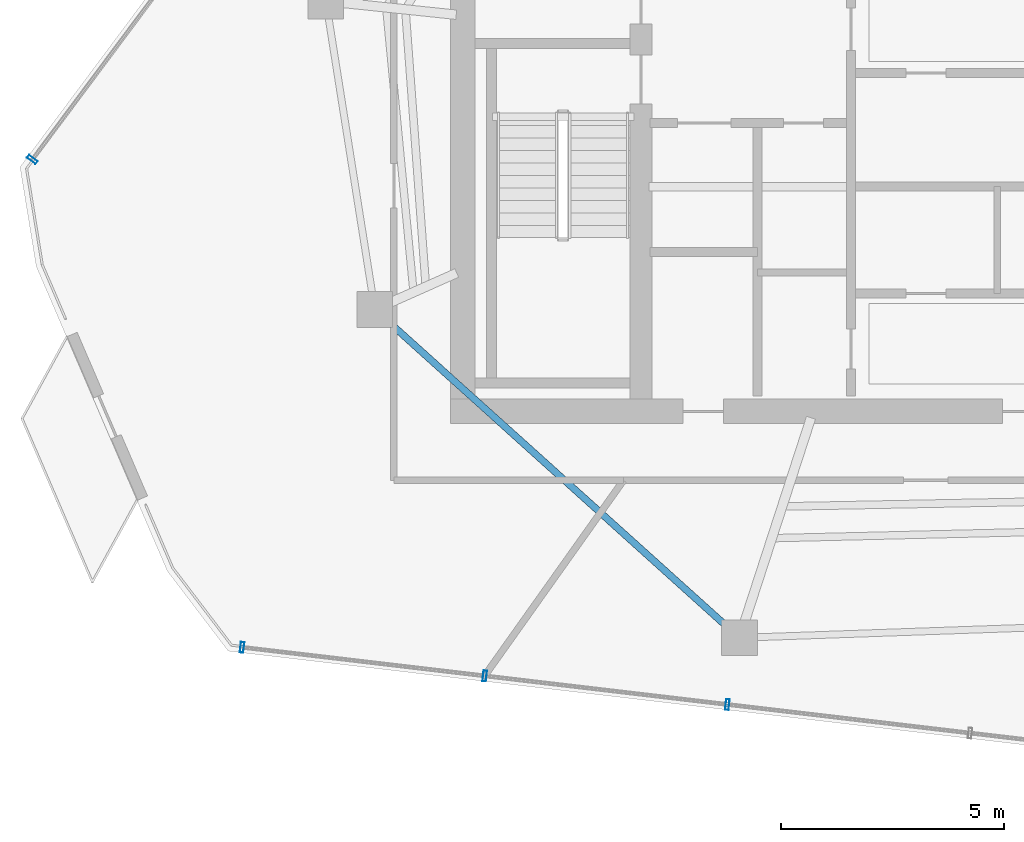
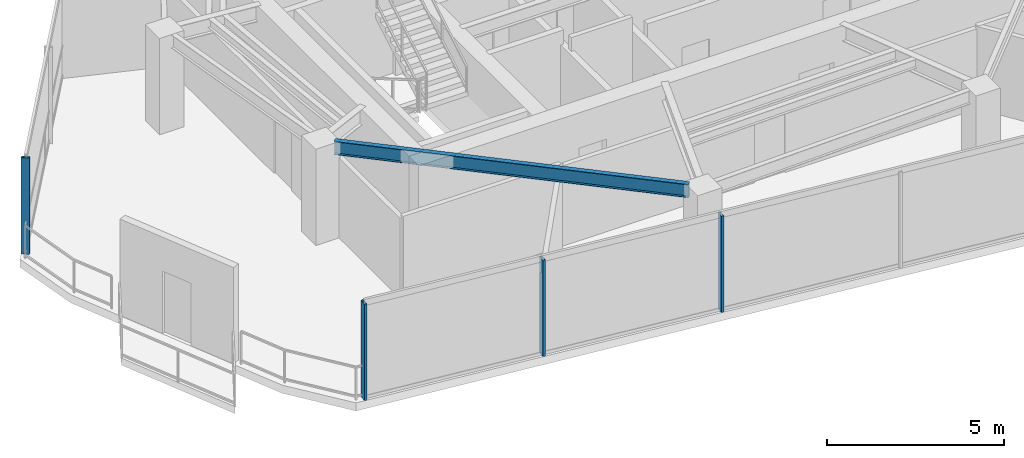
# One storey, part 2 of 18: 4 members, 1 beam, 2 elements without a shape of their own.
"""IFC4 building model written with IfcOpenShell, lengths in metres."""

from ifc_helpers import new_model, si_unit, direction, frame, origin, origin_2d, place, context, subcontext, project, spatial, hollow_rectangle, i_section, extrude, material, layer, layer_set, material_profile, profile_set, type_object, element, aggregate, save


model = new_model("IFC4")

# Units and contexts
model_context = context("Model", 3, precision=1e-05, world=origin(), true_north=direction((0.0, 1.0)))
body_context = subcontext(model_context, "Body", "Model", "MODEL_VIEW")
ifc_project = project(units=[si_unit("LENGTHUNIT", "METRE"), si_unit("AREAUNIT", "SQUARE_METRE"), si_unit("VOLUMEUNIT", "CUBIC_METRE"), si_unit("PLANEANGLEUNIT", "RADIAN"), si_unit("MASSUNIT", "GRAM", prefix="KILO")], contexts=[model_context])

# Site, building, storey
site_placement = place(None, origin())
site = spatial("IfcSite", under=ifc_project, at=site_placement, CompositionType="ELEMENT")
building_placement = place(site_placement, origin())
building = spatial("IfcBuilding", under=site, at=building_placement, Name="Qarnah Convention Tower", CompositionType="ELEMENT")
storey_placement = place(building_placement, frame((0.0, 0.0, 267.89990234375)))
storey = spatial("IfcBuildingStorey", under=building, at=storey_placement, Name="L72", CompositionType="ELEMENT", Elevation=267.89990234375)

# Beam
ifc_material_1 = material(Name="Structural steel S355JR", Category="steel")
ifc_material_profile_1 = material_profile(ifc_material_1, i_section(OverallWidth=0.154052734375, OverallDepth=0.4599609375, WebThickness=0.009033203125, FlangeThickness=0.014892578125, at=origin_2d()), Name="W460X68")
ifc_profile_set_1 = profile_set([ifc_material_profile_1], Name="Structural steel S355JR")
beam_type = type_object("IfcBeamType", Name="BM-SPN-W460B", PredefinedType="SPANDREL", material=ifc_profile_set_1)
beam_placement = place(storey_placement, frame((25.111083984375, 20.6279296875, 3.090087890625), z_axis=(0.743130570512, -0.669146437762, 0.0), x_axis=(0.669146437762, 0.743130570512, 0.0)))
element("IfcBeam", 1, at=beam_placement, inside=storey, type_object=beam_type, Name="L72 spandrel BM-L72-SPN-06", PredefinedType="SPANDREL", context=body_context, shape_type="SweptSolid", body=[
    extrude(i_section(OverallWidth=0.154052734375, OverallDepth=0.4599609375, WebThickness=0.009033203125, FlangeThickness=0.014892578125, at=origin_2d()), origin(), (0.0, 0.0, 1.0), 10.242919921875),
])

# Curtain wall, member
ifc_material_2 = material(Name="Tempered Low-E dark glass", Category="glass")
ifc_layer = layer(ifc_material_2, 0.176025390625)
ifc_layer_set = layer_set([ifc_layer], Name="Tempered Low-E dark glass")
curtain_wall_type = type_object("IfcCurtainWallType", Name="CWS-05", PredefinedType="NOTDEFINED", material=ifc_layer_set)
curtain_wall_1_placement = place(storey_placement, origin())
curtain_wall_1 = element("IfcCurtainWall", 2, at=curtain_wall_1_placement, inside=storey, type_object=curtain_wall_type, Name="L72 unitised curtain wall CW-L72-F2", PredefinedType="NOTDEFINED")
ifc_material_3 = material(Name="Black anodised aluminium", Category="aluminium")
ifc_material_profile_2 = material_profile(ifc_material_3, hollow_rectangle(XDim=0.080078125, YDim=0.239990234375, WallThickness=0.0048828125, at=origin_2d()), Name="MUL-80X240")
ifc_profile_set_2 = profile_set([ifc_material_profile_2], Name="Black anodised aluminium")
member_type = type_object("IfcMemberType", Name="MUL-T5", PredefinedType="MULLION", material=ifc_profile_set_2)
member_1_placement = place(storey_placement, frame((17.1279296875, 24.256103515625, 0.0), z_axis=(0.0, 0.0, 1.0), x_axis=(0.597875477778, 0.801588992609, 0.0)))
member_1 = element("IfcMember", 3, at=member_1_placement, type_object=member_type, Name="CW-L72-F2 mullion 1", PredefinedType="MULLION", context=body_context, shape_type="SweptSolid", body=[
    extrude(hollow_rectangle(XDim=0.080078125, YDim=0.239990234375, WallThickness=0.0048828125, at=origin_2d()), origin(), (0.0, 0.0, 1.0), 3.320068359375),
])
aggregate(curtain_wall_1, [member_1])

# Curtain wall, members
curtain_wall_2_placement = place(storey_placement, origin())
curtain_wall_2 = element("IfcCurtainWall", 4, at=curtain_wall_2_placement, inside=storey, type_object=curtain_wall_type, Name="L72 unitised curtain wall CW-L72-F3", PredefinedType="NOTDEFINED")
member_2_placement = place(storey_placement, frame((32.74169921875, 12.0146484375, 0.0), z_axis=(0.0, 0.0, 1.0), x_axis=(-0.993129942913, 0.11701673594, 0.0)))
member_2 = element("IfcMember", 5, at=member_2_placement, type_object=member_type, Name="CW-L72-F3 mullion 4", PredefinedType="MULLION", context=body_context, shape_type="SweptSolid", body=[
    extrude(hollow_rectangle(XDim=0.080078125, YDim=0.239990234375, WallThickness=0.0048828125, at=origin_2d()), origin(), (0.0, 0.0, 1.0), 3.320068359375),
])
member_3_placement = place(storey_placement, frame((27.29150390625, 12.65673828125, 0.0), z_axis=(0.0, 0.0, 1.0), x_axis=(-0.993129942913, 0.11701673594, 0.0)))
member_3 = element("IfcMember", 6, at=member_3_placement, type_object=member_type, Name="CW-L72-F3 mullion 5", PredefinedType="MULLION", context=body_context, shape_type="SweptSolid", body=[
    extrude(hollow_rectangle(XDim=0.080078125, YDim=0.239990234375, WallThickness=0.0048828125, at=origin_2d()), origin(), (0.0, 0.0, 1.0), 3.320068359375),
])
member_4_placement = place(storey_placement, frame((21.841064453125, 13.299072265625, 0.0), z_axis=(0.0, 0.0, 1.0), x_axis=(-0.993129942913, 0.11701673594, 0.0)))
member_4 = element("IfcMember", 7, at=member_4_placement, type_object=member_type, Name="CW-L72-F3 mullion 6", PredefinedType="MULLION", context=body_context, shape_type="SweptSolid", body=[
    extrude(hollow_rectangle(XDim=0.080078125, YDim=0.239990234375, WallThickness=0.0048828125, at=origin_2d()), origin(), (0.0, 0.0, 1.0), 3.320068359375),
])
aggregate(curtain_wall_2, [member_2, member_3, member_4])

save(model, "model.ifc")
